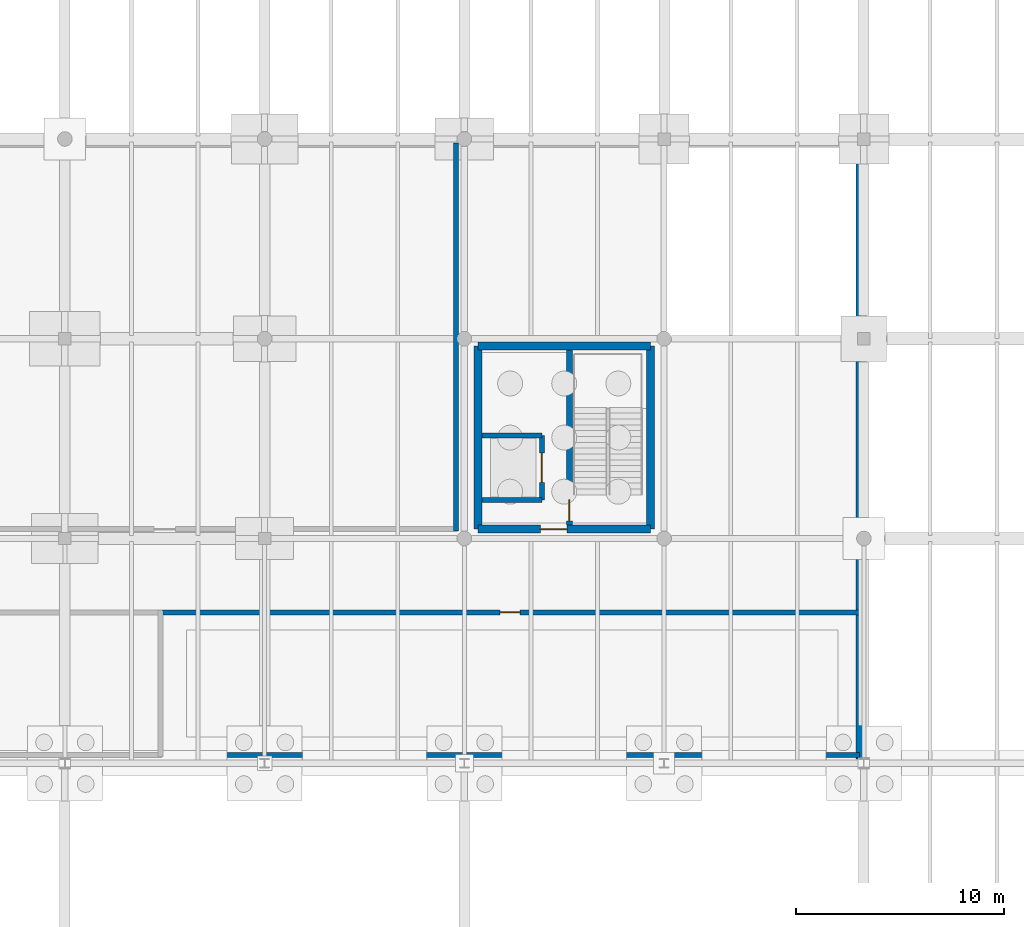
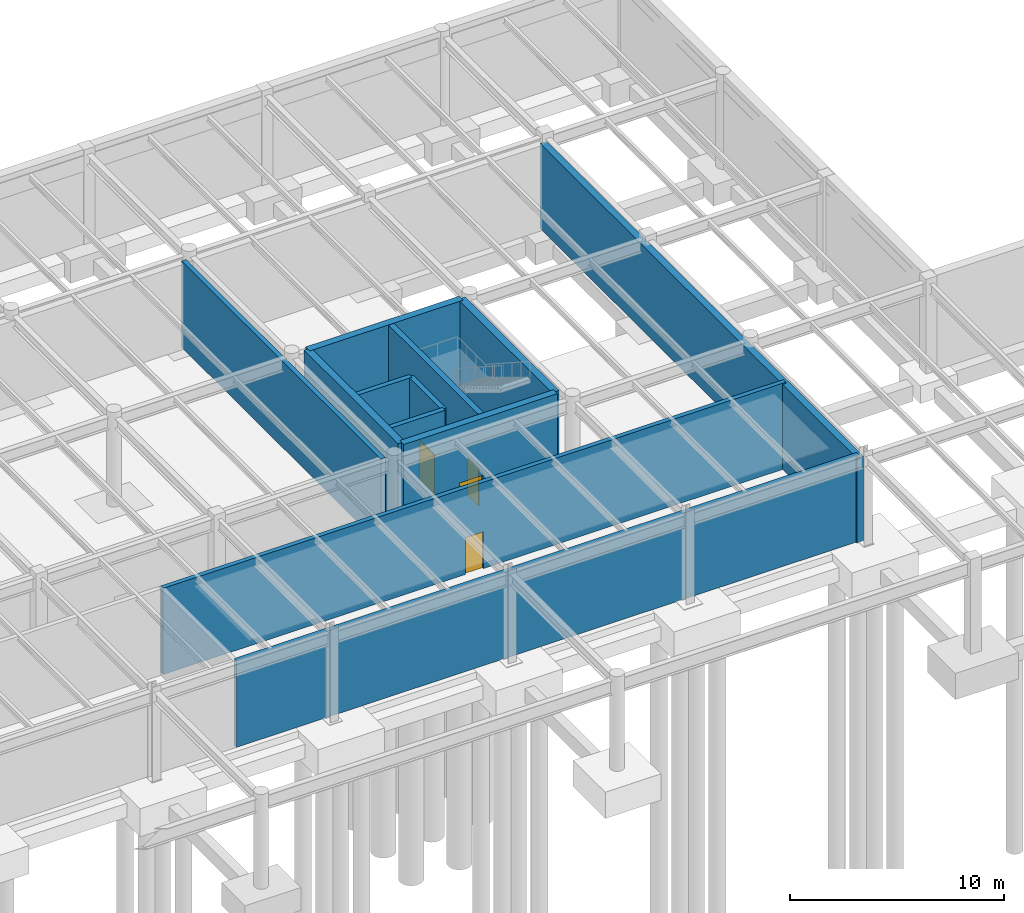
# One storey, part 45 of 50: 12 walls, 4 doors, 4 openings.
"""IFC4 building model written with IfcOpenShell, lengths in metres."""

import ifcopenshell
import ifcopenshell.guid

model = None  # the IFC model being written
_history = None  # IfcOwnerHistory: only IFC2X3 demands one
_inside = {}  # id of a spatial element -> (the spatial element, [elements in it])
_under = {}  # id of a project, library or spatial element -> (it, [spatial elements below it])
_declared = {}  # id of a project -> (the project, [libraries it declares])
_typed = {}  # id of a type object -> (the type object, [elements of that type])
_made_of = {}  # id of a material, layer set ... -> (it, [elements and type objects made of it])


def new_model(schema):
    """Start an empty IFC model of exactly this schema.

    Asked for "IFC4X3", IfcOpenShell would pick the latest addendum, in which some entities
    have other attributes; the version numbers below select the first issue.
    IFC2X3 requires an IfcOwnerHistory on every rooted entity: one is made here for all.
    """
    global model, _history
    if schema == "IFC4X3":
        model = ifcopenshell.file(schema_version=(4, 3, 0, 0))
    else:
        model = ifcopenshell.file(schema=schema)
    _inside.clear()
    _under.clear()
    _declared.clear()
    _typed.clear()
    _made_of.clear()
    _history = None
    if model.schema == "IFC2X3":
        org = make("IfcOrganization", Name="unknown")
        user = make(
            "IfcPersonAndOrganization",
            ThePerson=make("IfcPerson", FamilyName="unknown"),
            TheOrganization=org,
        )
        app = make(
            "IfcApplication",
            ApplicationDeveloper=org,
            Version="unknown",
            ApplicationFullName="unknown",
            ApplicationIdentifier="unknown",
        )
        _history = make(
            "IfcOwnerHistory",
            OwningUser=user,
            OwningApplication=app,
            ChangeAction="ADDED",
            CreationDate=0,
        )
    return model


def make(cls, **values):
    """One entity of the class cls with the attributes given. An attribute that is None is left unset."""
    return model.create_entity(
        cls, **{name: value for name, value in values.items() if value is not None}
    )


def rooted(cls, **values):
    """An entity with a GlobalId (a new one), such as an element, a storey or a relation."""
    return make(cls, GlobalId=ifcopenshell.guid.new(), OwnerHistory=_history, **values)


def si_unit(unit_type, name, prefix=None):
    """IfcSIUnit, for example si_unit("LENGTHUNIT", "METRE", prefix="MILLI")."""
    return make("IfcSIUnit", UnitType=unit_type, Prefix=prefix, Name=name)


def assignment(units):
    """IfcUnitAssignment: the units of a project."""
    return None if units is None else make("IfcUnitAssignment", Units=units)


def point(xyz):
    """IfcCartesianPoint."""
    return None if xyz is None else make("IfcCartesianPoint", Coordinates=xyz)


def direction(xyz):
    """IfcDirection."""
    return None if xyz is None else make("IfcDirection", DirectionRatios=xyz)


def frame(location, z_axis=None, x_axis=None):
    """IfcAxis2Placement3D, a coordinate frame: its origin and axes. An axis left out is left unset."""
    return make(
        "IfcAxis2Placement3D",
        Location=point(location),
        Axis=direction(z_axis),
        RefDirection=direction(x_axis),
    )


def frame_2d(location, x_axis=None):
    """IfcAxis2Placement2D, a coordinate frame in the plane: its origin and x axis."""
    return make(
        "IfcAxis2Placement2D", Location=point(location), RefDirection=direction(x_axis)
    )


def origin():
    """The frame at (0, 0, 0) with its axes left unset."""
    return frame((0.0, 0.0, 0.0))


def place(relative_to, where):
    """IfcLocalPlacement: puts the frame where relative to a parent placement (None: the world)."""
    return make(
        "IfcLocalPlacement", PlacementRelTo=relative_to, RelativePlacement=where
    )


def context(
    kind, dimensions, precision=None, world=None, true_north=None, identifier=None
):
    """IfcGeometricRepresentationContext, for example the 3D "Model" context."""
    return make(
        "IfcGeometricRepresentationContext",
        ContextIdentifier=identifier,
        ContextType=kind,
        CoordinateSpaceDimension=dimensions,
        Precision=precision,
        WorldCoordinateSystem=world,
        TrueNorth=true_north,
    )


def subcontext(parent, identifier, kind, view, scale=None):
    """IfcGeometricRepresentationSubContext, for example "Body" below "Model"."""
    return make(
        "IfcGeometricRepresentationSubContext",
        ContextIdentifier=identifier,
        ContextType=kind,
        ParentContext=parent,
        TargetScale=scale,
        TargetView=view,
    )


def project(units=None, contexts=None):
    """IfcProject with its units and contexts."""
    return rooted(
        "IfcProject",
        Name="project",
        RepresentationContexts=contexts,
        UnitsInContext=assignment(units),
    )


def spatial(cls, under=None, at=None, **own):
    """A site, building, storey or space (cls), placed at a placement, below another one or the project."""
    s = rooted(cls, ObjectPlacement=at, **own)
    if under is not None:
        _under.setdefault(under.id(), (under, []))[1].append(s)
    return s


def profile(cls, at=None, kind="AREA", **sizes):
    """A parametric profile (cls). Its sizes go by their IFC names, for example OverallWidth=200.0."""
    return make(cls, ProfileType=kind, Position=at, **sizes)


def rectangle(**sizes):
    """IfcRectangleProfileDef."""
    return profile("IfcRectangleProfileDef", **sizes)


def extrude(swept, where, along, depth):
    """IfcExtrudedAreaSolid: the profile swept, set in the frame where, extruded along a direction by depth."""
    return make(
        "IfcExtrudedAreaSolid",
        SweptArea=swept,
        Position=where,
        ExtrudedDirection=direction(along),
        Depth=depth,
    )


def shape(context_of_items, identifier, shape_type, items):
    """IfcShapeRepresentation: the items that make up one representation, for example the "Body"."""
    return make(
        "IfcShapeRepresentation",
        ContextOfItems=context_of_items,
        RepresentationIdentifier=identifier,
        RepresentationType=shape_type,
        Items=items,
    )


def material(Name=None, Category=None):
    """IfcMaterial."""
    return make("IfcMaterial", Name=Name, Category=Category)


def layer(
    of_material, thickness, ventilated=None, Name=None, Category=None, Priority=None
):
    """IfcMaterialLayer: one layer of a wall or slab, of a material (None: an air gap)."""
    return make(
        "IfcMaterialLayer",
        Material=of_material,
        LayerThickness=thickness,
        IsVentilated=ventilated,
        Name=Name,
        Category=Category,
        Priority=Priority,
    )


def layer_set(layers, Name=None):
    """IfcMaterialLayerSet."""
    return make("IfcMaterialLayerSet", MaterialLayers=layers, LayerSetName=Name)


def made_of(thing, what):
    """Note that an element or type object is made of a material, layer set ...; save() writes the relation."""
    if what is not None:
        _made_of.setdefault(what.id(), (what, []))[1].append(thing)
    return thing


def type_object(cls, material=None, **own):
    """A type object (cls), such as IfcWallType, which elements share."""
    return made_of(rooted(cls, **own), material)


def element(
    cls,
    number,
    at=None,
    inside=None,
    cuts=None,
    type_object=None,
    material=None,
    context=None,
    identifier="Body",
    shape_type=None,
    held_by="IfcProductDefinitionShape",
    body=None,
    shapes=None,
    **own,
):
    """One element of the class cls, such as IfcWall. Its Tag is "e" and its number.

    at: its placement. inside: the storey or other place that contains it. cuts: it is an
    opening in that element (IfcRelVoidsElement). A single representation is given by context,
    identifier, shape_type and body (its items); several are given by shapes. held_by: the class
    of the entity that holds the representations. save() writes the other relations.
    """
    e = rooted(cls, Tag="e%d" % number, ObjectPlacement=at, **own)
    if body is not None:
        shapes = [shape(context, identifier, shape_type, body)]
    if shapes is not None:
        e.Representation = make(held_by, Representations=shapes)
    if inside is not None:
        _inside.setdefault(inside.id(), (inside, []))[1].append(e)
    if cuts is not None:
        rooted(
            "IfcRelVoidsElement", RelatingBuildingElement=cuts, RelatedOpeningElement=e
        )
    if type_object is not None:
        _typed.setdefault(type_object.id(), (type_object, []))[1].append(e)
    return made_of(e, material)


def fill(opening, filler):
    """IfcRelFillsElement: the door or window that sits in an opening."""
    return rooted(
        "IfcRelFillsElement",
        RelatingOpeningElement=opening,
        RelatedBuildingElement=filler,
    )


def aggregate(whole, parts):
    """IfcRelAggregates: a whole, such as a stair, and the parts it consists of."""
    return rooted("IfcRelAggregates", RelatingObject=whole, RelatedObjects=parts)


def save(model, path):
    """Write the relations noted so far, then the file.

    IfcRelAggregates (storeys below a building ...), IfcRelContainedInSpatialStructure (elements
    in a storey), IfcRelDefinesByType, IfcRelAssociatesMaterial and IfcRelDeclares: one each for
    every whole, place, type object, material and project.
    """
    for whole, parts in _under.values():
        aggregate(whole, parts)
    for where, things in _inside.values():
        rooted(
            "IfcRelContainedInSpatialStructure",
            RelatedElements=things,
            RelatingStructure=where,
        )
    for kind, things in _typed.values():
        rooted("IfcRelDefinesByType", RelatedObjects=things, RelatingType=kind)
    for what, things in _made_of.values():
        rooted("IfcRelAssociatesMaterial", RelatedObjects=things, RelatingMaterial=what)
    for by, libraries in _declared.values():
        rooted("IfcRelDeclares", RelatingContext=by, RelatedDefinitions=libraries)
    model.write(path)


model = new_model("IFC4")

# Units and contexts
model_context = context("Model", 3, precision=1e-05, world=origin(), true_north=direction((0.0, 1.0)))
body_context = subcontext(model_context, "Body", "Model", "MODEL_VIEW")
ifc_project = project(units=[si_unit("LENGTHUNIT", "METRE"), si_unit("AREAUNIT", "SQUARE_METRE"), si_unit("VOLUMEUNIT", "CUBIC_METRE"), si_unit("PLANEANGLEUNIT", "RADIAN"), si_unit("MASSUNIT", "GRAM", prefix="KILO")], contexts=[model_context])

# Site, building, storey
site_placement = place(None, origin())
site = spatial("IfcSite", under=ifc_project, at=site_placement, CompositionType="ELEMENT")
building_placement = place(site_placement, origin())
building = spatial("IfcBuilding", under=site, at=building_placement, Name="Yeouljin Market Hall", CompositionType="ELEMENT")
storey_placement = place(building_placement, frame((0.0, 0.0, -5.39990234375)))
storey = spatial("IfcBuildingStorey", under=building, at=storey_placement, Name="B1", CompositionType="ELEMENT", Elevation=-5.39990234375)

# Wall, opening, door
ifc_material_1 = material(Name="Insulated Cold-Store Panel Assembly")
ifc_layer_1 = layer(ifc_material_1, 0.239990234375)
ifc_layer_set_1 = layer_set([ifc_layer_1], Name="Insulated Cold-Store Panel Assembly")
wall_type_1 = type_object("IfcWallType", Name="Part_ColdStore_240", PredefinedType="PARTITIONING", material=ifc_layer_set_1)
wall_1_placement = place(storey_placement, frame((121.60009765625, 85.25, 0.0), z_axis=(0.0, 0.0, 1.0), x_axis=(-1.0, 0.0, 0.0)))
wall_1 = element("IfcWall", 1, at=wall_1_placement, inside=storey, type_object=wall_type_1, Name="Interior partition PART-B1-0015", PredefinedType="PARTITIONING", context=body_context, shape_type="SweptSolid", body=[
    extrude(rectangle(XDim=33.60009765625, YDim=0.239990234375, at=frame_2d((16.800048828125, 0.0))), origin(), (0.0, 0.0, 1.0), 4.919921875),
])
opening_1_placement = place(wall_1_placement, frame((16.320068359375, 0.0, 0.0)))
opening_1 = element("IfcOpeningElement", 2, at=opening_1_placement, cuts=wall_1, Name="Opening D-B1-005", PredefinedType="OPENING", context=body_context, shape_type="SweptSolid", body=[
    extrude(rectangle(XDim=0.9599609375, YDim=2.10009765625, at=frame_2d((0.47998046875, 1.050048828125))), frame((0.0, 0.1298828125, 0.0), z_axis=(0.0, -1.0, 0.0), x_axis=(1.0, 0.0, 0.0)), (0.0, 0.0, 1.0), 0.260009765625),
])
ifc_material_2 = material(Name="Painted Fire-Rated Steel", Category="steel")
door_type_1 = type_object("IfcDoorType", Name="DT-FD096", OperationType="NOTDEFINED", PredefinedType="DOOR", material=ifc_material_2)
door_1_placement = place(opening_1_placement, origin())
door_1 = element("IfcDoor", 3, at=door_1_placement, inside=storey, type_object=door_type_1, Name="Interior door D-B1-005 (Meat Freezer Cold Store)", OperationType="SINGLE_SWING_LEFT", OverallHeight=2.10009765625, OverallWidth=0.9599609375, PredefinedType="DOOR", context=body_context, shape_type="SweptSolid", body=[
    extrude(rectangle(XDim=0.9599609375, YDim=2.10009765625, at=frame_2d((0.47998046875, 1.050048828125))), frame((0.0, 0.02490234375, 0.0), z_axis=(0.0, -1.0, 0.0), x_axis=(1.0, 0.0, 0.0)), (0.0, 0.0, 1.0), 0.050048828125),
])
fill(opening_1, door_1)

# Walls
wall_2_placement = place(storey_placement, frame((88.0, 78.39990234375, 0.0), z_axis=(0.0, 0.0, 1.0), x_axis=(1.0, 0.0, 0.0)))
element("IfcWall", 4, at=wall_2_placement, inside=storey, type_object=wall_type_1, Name="Interior partition PART-B1-0016", PredefinedType="PARTITIONING", context=body_context, shape_type="SweptSolid", body=[
    extrude(rectangle(XDim=33.60009765625, YDim=0.239990234375, at=frame_2d((16.800048828125, 0.0))), origin(), (0.0, 0.0, 1.0), 4.919921875),
])
wall_3_placement = place(storey_placement, frame((102.199951171875, 89.169921875, 0.0), z_axis=(0.0, 0.0, 1.0), x_axis=(0.0, 1.0, 0.0)))
element("IfcWall", 5, at=wall_3_placement, inside=storey, type_object=wall_type_1, Name="Interior partition PART-B1-0018", PredefinedType="PARTITIONING", context=body_context, shape_type="SweptSolid", body=[
    extrude(rectangle(XDim=18.630126953125, YDim=0.239990234375, at=frame_2d((9.31494140625, 0.0))), origin(), (0.0, 0.0, 1.0), 4.919921875),
])

# Wall, opening, door
ifc_material_3 = material(Name="Concrete C35/45", Category="concrete")
ifc_layer_2 = layer(ifc_material_3, 0.260009765625)
ifc_layer_set_2 = layer_set([ifc_layer_2], Name="Concrete C35/45")
wall_type_2 = type_object("IfcWallType", Name="Wall_Compartment_260", PredefinedType="SHEAR", material=ifc_layer_set_2)
wall_4_placement = place(storey_placement, frame((106.330078125, 90.64990234375, 0.0), z_axis=(0.0, 0.0, 1.0), x_axis=(0.0, 1.0, 0.0)))
wall_4 = element("IfcWall", 6, at=wall_4_placement, inside=storey, type_object=wall_type_2, Name="Lift LG-02 hoistway front wall (B1)", PredefinedType="SHEAR", context=body_context, shape_type="SweptSolid", body=[
    extrude(rectangle(XDim=3.10009765625, YDim=0.260009765625, at=frame_2d((1.550048828125, 0.0))), origin(), (0.0, 0.0, 1.0), 5.39990234375),
])
opening_2_placement = place(wall_4_placement, frame((0.85009765625, 0.0, 0.0)))
opening_2 = element("IfcOpeningElement", 7, at=opening_2_placement, cuts=wall_4, Name="Opening LD-LG-02-B1", PredefinedType="OPENING", context=body_context, shape_type="SweptSolid", body=[
    extrude(rectangle(XDim=1.39990234375, YDim=2.25, at=frame_2d((0.699951171875, 1.125))), frame((0.0, 0.139892578125, 0.0), z_axis=(0.0, -1.0, 0.0), x_axis=(1.0, 0.0, 0.0)), (0.0, 0.0, 1.0), 0.280029296875),
])
ifc_material_4 = material(Name="Brushed Stainless Steel", Category="steel")
door_type_2 = type_object("IfcDoorType", Name="LD-140", OperationType="SLIDING_TO_RIGHT", PredefinedType="DOOR", material=ifc_material_4)
door_2_placement = place(opening_2_placement, origin())
door_2 = element("IfcDoor", 8, at=door_2_placement, inside=storey, type_object=door_type_2, Name="Lift landing sliding door LD-LG-02-B1", OperationType="SLIDING_TO_RIGHT", OverallHeight=2.25, OverallWidth=1.39990234375, PredefinedType="DOOR", context=body_context, shape_type="SweptSolid", body=[
    extrude(rectangle(XDim=1.39990234375, YDim=2.25, at=frame_2d((0.699951171875, 1.125))), frame((0.0, 0.02490234375, 0.0), z_axis=(0.0, -1.0, 0.0), x_axis=(1.0, 0.0, 0.0)), (0.0, 0.0, 1.0), 0.050048828125),
])
fill(opening_2, door_2)

# Walls
for number, where, z_axis, x_axis, name in (
    (9, (103.449951171875, 90.64990234375, 0.0), (0.0, 0.0, 1.0), (1.0, 0.0, 0.0), "Lift LG-02 shaft cheek wall S (B1)"),
    (10, (103.449951171875, 93.75, 0.0), (0.0, 0.0, 1.0), (1.0, 0.0, 0.0), "Lift LG-02 shaft cheek wall N (B1)"),
):
    element("IfcWall", number, at=place(storey_placement, frame(where, z_axis=z_axis, x_axis=x_axis)), inside=storey, type_object=wall_type_2, Name=name, PredefinedType="SHEAR", context=body_context, shape_type="SweptSolid", body=[
        extrude(rectangle(XDim=2.880126953125, YDim=0.260009765625, at=frame_2d((1.43994140625, 0.0))), origin(), (0.0, 0.0, 1.0), 5.39990234375),
    ])

# Wall, opening, door
ifc_material_5 = material(Name="Concrete C35/45", Category="concrete")
ifc_layer_3 = layer(ifc_material_5, 0.3798828125)
ifc_layer_set_3 = layer_set([ifc_layer_3], Name="Concrete C35/45")
wall_type_3 = type_object("IfcWallType", Name="Wall_CoreShear_380", PredefinedType="SHEAR", material=ifc_layer_set_3)
wall_5_placement = place(storey_placement, frame((103.25, 89.25, 0.0), z_axis=(0.0, 0.0, 1.0), x_axis=(1.0, 0.0, 0.0)))
wall_5 = element("IfcWall", 11, at=wall_5_placement, inside=storey, type_object=wall_type_3, Name="Core C6 south shear wall (B1)", PredefinedType="SHEAR", context=body_context, shape_type="SweptSolid", body=[
    extrude(rectangle(XDim=8.300048828125, YDim=0.3798828125, at=frame_2d((4.14990234375, 0.0))), origin(), (0.0, 0.0, 1.0), 5.39990234375),
])
opening_3_placement = place(wall_5_placement, frame((3.0, 0.0, 0.0)))
opening_3 = element("IfcOpeningElement", 12, at=opening_3_placement, cuts=wall_5, Name="Opening FD-C6-B1-01", PredefinedType="OPENING", context=body_context, shape_type="SweptSolid", body=[
    extrude(rectangle(XDim=1.280029296875, YDim=2.14990234375, at=frame_2d((0.64013671875, 1.074951171875))), frame((0.0, 0.199951171875, 0.0), z_axis=(0.0, -1.0, 0.0), x_axis=(1.0, 0.0, 0.0)), (0.0, 0.0, 1.0), 0.39990234375),
])
ifc_material_6 = material(Name="Painted Fire-Rated Steel", Category="steel")
door_type_3 = type_object("IfcDoorType", Name="DT-FD128", OperationType="NOTDEFINED", PredefinedType="DOOR", material=ifc_material_6)
door_3_placement = place(opening_3_placement, origin())
door_3 = element("IfcDoor", 13, at=door_3_placement, inside=storey, type_object=door_type_3, Name="Core C6 lobby fire door (B1)", OperationType="SINGLE_SWING_LEFT", OverallHeight=2.14990234375, OverallWidth=1.280029296875, PredefinedType="DOOR", context=body_context, shape_type="SweptSolid", body=[
    extrude(rectangle(XDim=1.280029296875, YDim=2.14990234375, at=frame_2d((0.64013671875, 1.074951171875))), frame((0.0, 0.02490234375, 0.0), z_axis=(0.0, -1.0, 0.0), x_axis=(1.0, 0.0, 0.0)), (0.0, 0.0, 1.0), 0.050048828125),
])
fill(opening_3, door_3)

# Walls
wall_6_placement = place(storey_placement, frame((111.550048828125, 98.050048828125, 0.0), z_axis=(0.0, 0.0, 1.0), x_axis=(-1.0, 0.0, 0.0)))
element("IfcWall", 14, at=wall_6_placement, inside=storey, type_object=wall_type_3, Name="Core C6 north shear wall (B1)", PredefinedType="SHEAR", context=body_context, shape_type="SweptSolid", body=[
    extrude(rectangle(XDim=8.300048828125, YDim=0.3798828125, at=frame_2d((4.14990234375, 0.0))), origin(), (0.0, 0.0, 1.0), 5.39990234375),
])
for number, where, z_axis, x_axis, name in (
    (15, (103.25, 98.050048828125, 0.0), (0.0, 0.0, 1.0), (0.0, -1.0, 0.0), "Core C6 west shear wall (B1)"),
    (16, (111.550048828125, 89.25, 0.0), (0.0, 0.0, 1.0), (0.0, 1.0, 0.0), "Core C6 east shear wall (B1)"),
):
    element("IfcWall", number, at=place(storey_placement, frame(where, z_axis=z_axis, x_axis=x_axis)), inside=storey, type_object=wall_type_3, Name=name, PredefinedType="SHEAR", context=body_context, shape_type="SweptSolid", body=[
        extrude(rectangle(XDim=8.800048828125, YDim=0.3798828125, at=frame_2d((4.39990234375, 0.0))), origin(), (0.0, 0.0, 1.0), 5.39990234375),
    ])
ifc_material_7 = material(Name="Concrete C35/45", Category="concrete")
ifc_layer_4 = layer(ifc_material_7, 0.360107421875)
ifc_layer_set_4 = layer_set([ifc_layer_4], Name="Concrete C35/45")
wall_type_4 = type_object("IfcWallType", Name="Wall_Retaining_RC360", PredefinedType="USERDEFINED", material=ifc_layer_set_4)
wall_7_placement = place(storey_placement, frame((121.60009765625, 107.800048828125, 0.0), z_axis=(0.0, 0.0, 1.0), x_axis=(0.0, -1.0, 0.0)))
element("IfcWall", 17, at=wall_7_placement, inside=storey, type_object=wall_type_4, Name="Exterior wall W-B1-NE", ObjectType="RETAININGWALL", PredefinedType="USERDEFINED", context=body_context, shape_type="SweptSolid", body=[
    extrude(rectangle(XDim=29.60009765625, YDim=0.360107421875, at=frame_2d((14.800048828125, 0.0))), origin(), (0.0, 0.0, 1.0), 4.849853515625),
])

# Wall, opening, door
ifc_material_8 = material(Name="Concrete C35/45", Category="concrete")
ifc_layer_5 = layer(ifc_material_8, 0.300048828125)
ifc_layer_set_5 = layer_set([ifc_layer_5], Name="Concrete C35/45")
wall_type_5 = type_object("IfcWallType", Name="Wall_ShaftShear_300", PredefinedType="SHEAR", material=ifc_layer_set_5)
wall_8_placement = place(storey_placement, frame((107.64990234375, 89.449951171875, 0.0), z_axis=(0.0, 0.0, 1.0), x_axis=(0.0, 1.0, 0.0)))
wall_8 = element("IfcWall", 18, at=wall_8_placement, inside=storey, type_object=wall_type_5, Name="Core C6 stairwell divider wall (B1)", PredefinedType="SHEAR", context=body_context, shape_type="SweptSolid", body=[
    extrude(rectangle(XDim=8.400146484375, YDim=0.300048828125, at=frame_2d((4.2001953125, 0.0))), origin(), (0.0, 0.0, 1.0), 5.39990234375),
])
opening_4_placement = place(wall_8_placement, frame((0.199951171875, 0.0, 0.0)))
opening_4 = element("IfcOpeningElement", 19, at=opening_4_placement, cuts=wall_8, Name="Opening SD-C6-B1", PredefinedType="OPENING", context=body_context, shape_type="SweptSolid", body=[
    extrude(rectangle(XDim=1.02001953125, YDim=2.10009765625, at=frame_2d((0.510009765625, 1.050048828125))), frame((0.0, 0.159912109375, 0.0), z_axis=(0.0, -1.0, 0.0), x_axis=(1.0, 0.0, 0.0)), (0.0, 0.0, 1.0), 0.320068359375),
])
ifc_material_9 = material(Name="Painted Fire-Rated Steel", Category="steel")
door_type_4 = type_object("IfcDoorType", Name="DT-FD102", OperationType="NOTDEFINED", PredefinedType="DOOR", material=ifc_material_9)
door_4_placement = place(opening_4_placement, origin())
door_4 = element("IfcDoor", 20, at=door_4_placement, inside=storey, type_object=door_type_4, Name="Core C6 exit stair door (B1)", OperationType="SINGLE_SWING_RIGHT", OverallHeight=2.10009765625, OverallWidth=1.02001953125, PredefinedType="DOOR", context=body_context, shape_type="SweptSolid", body=[
    extrude(rectangle(XDim=1.02001953125, YDim=2.10009765625, at=frame_2d((0.510009765625, 1.050048828125))), frame((0.0, 0.02490234375, 0.0), z_axis=(0.0, -1.0, 0.0), x_axis=(1.0, 0.0, 0.0)), (0.0, 0.0, 1.0), 0.050048828125),
])
fill(opening_4, door_4)

save(model, "model.ifc")
